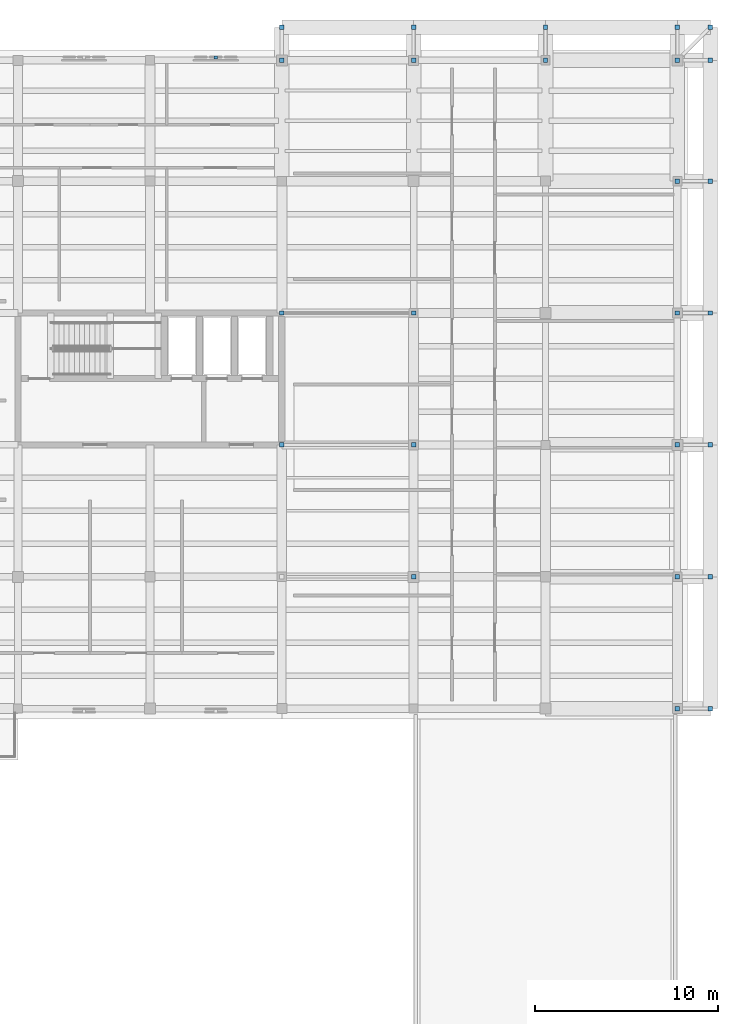
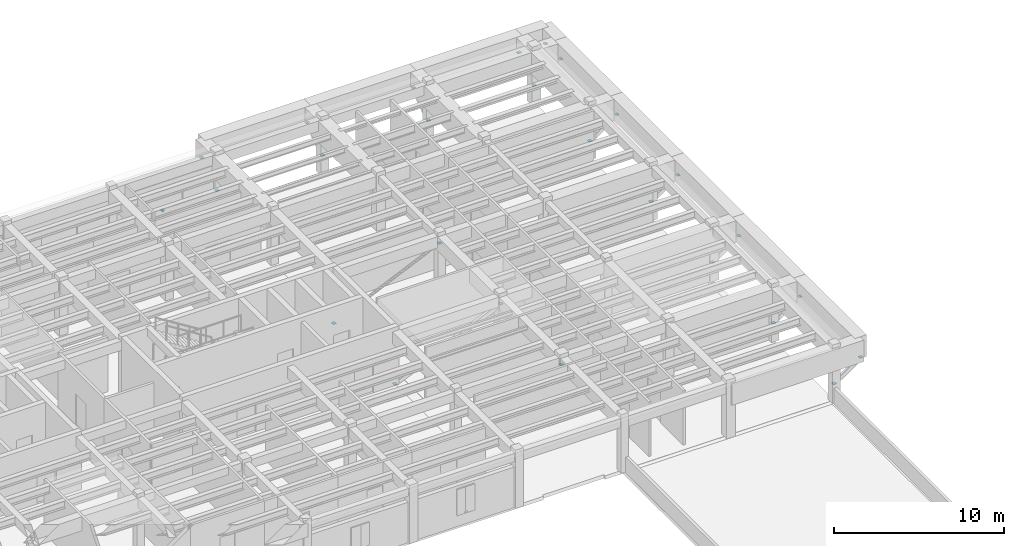
# One storey, part 19 of 22: 26 discrete accessories.
"""IFC4 building model written with IfcOpenShell, lengths in metres."""

from ifc_helpers import new_model, si_unit, direction, frame, origin, origin_2d, place, context, subcontext, project, spatial, rectangle, extrude, material, type_object, element, save


model = new_model("IFC4")

# Units and contexts
model_context = context("Model", 3, precision=1e-05, world=origin(), true_north=direction((0.0, 1.0)))
body_context = subcontext(model_context, "Body", "Model", "MODEL_VIEW")
ifc_project = project(units=[si_unit("LENGTHUNIT", "METRE"), si_unit("AREAUNIT", "SQUARE_METRE"), si_unit("VOLUMEUNIT", "CUBIC_METRE"), si_unit("PLANEANGLEUNIT", "RADIAN"), si_unit("MASSUNIT", "GRAM", prefix="KILO")], contexts=[model_context])

# Site, building, storey
site_placement = place(None, origin())
site = spatial("IfcSite", under=ifc_project, at=site_placement, CompositionType="ELEMENT")
building_placement = place(site_placement, origin())
building = spatial("IfcBuilding", under=site, at=building_placement, Name="Mithqara Police Headquarters", CompositionType="ELEMENT")
storey_placement = place(building_placement, frame((0.0, 0.0, 22.199951171875)))
storey = spatial("IfcBuildingStorey", under=building, at=storey_placement, Name="L05", CompositionType="ELEMENT", Elevation=22.199951171875)

# Discrete accessories
ifc_material = material(Name="Steel S355JR", Category="steel")
discrete_accessory_type_1 = type_object("IfcDiscreteAccessoryType", Name="END CONN PLATE", PredefinedType="BRACKET", material=ifc_material)
for number, where, z_axis, x_axis, name in (
    (1, (166.199951171875, 78.60009765625, 1.18798828125), (0.0, 0.0, 1.0), (1.0, 0.0, 0.0), "Brace End Connection Plate 1A"),
    (2, (168.0, 78.60009765625, 2.4580078125), (0.0, 0.0, 1.0), (1.0, 0.0, 0.0), "Brace End Connection Plate 2B"),
    (3, (166.199951171875, 85.800048828125, 1.18798828125), (0.0, 0.0, 1.0), (1.0, 0.0, 0.0), "Brace End Connection Plate 3A"),
    (4, (168.0, 85.800048828125, 2.4580078125), (0.0, 0.0, 1.0), (1.0, 0.0, 0.0), "Brace End Connection Plate 4B"),
    (5, (166.199951171875, 93.0, 1.18798828125), (0.0, 0.0, 1.0), (1.0, 0.0, 0.0), "Brace End Connection Plate 5A"),
    (6, (168.0, 93.0, 2.4580078125), (0.0, 0.0, 1.0), (1.0, 0.0, 0.0), "Brace End Connection Plate 6B"),
    (7, (166.199951171875, 100.199951171875, 1.18798828125), (0.0, 0.0, 1.0), (1.0, 0.0, 0.0), "Brace End Connection Plate 7A"),
    (8, (168.0, 100.199951171875, 2.4580078125), (0.0, 0.0, 1.0), (1.0, 0.0, 0.0), "Brace End Connection Plate 8B"),
    (9, (166.199951171875, 107.39990234375, 1.18798828125), (0.0, 0.0, 1.0), (1.0, 0.0, 0.0), "Brace End Connection Plate 9A"),
    (10, (168.0, 107.39990234375, 2.4580078125), (0.0, 0.0, 1.0), (1.0, 0.0, 0.0), "Brace End Connection Plate 10B"),
    (11, (166.199951171875, 114.0, 1.18798828125), (0.0, 0.0, 1.0), (1.0, 0.0, 0.0), "Brace End Connection Plate 11A"),
    (12, (168.0, 114.0, 2.4580078125), (0.0, 0.0, 1.0), (1.0, 0.0, 0.0), "Brace End Connection Plate 12B"),
    (13, (144.60009765625, 114.0, 1.18798828125), (0.0, 0.0, 1.0), (1.0, 0.0, 0.0), "Brace End Connection Plate 13A"),
    (14, (144.60009765625, 115.800048828125, 2.4580078125), (0.0, 0.0, 1.0), (1.0, 0.0, 0.0), "Brace End Connection Plate 14B"),
    (15, (151.800048828125, 114.0, 1.18798828125), (0.0, 0.0, 1.0), (1.0, 0.0, 0.0), "Brace End Connection Plate 15A"),
    (16, (151.800048828125, 115.800048828125, 2.4580078125), (0.0, 0.0, 1.0), (1.0, 0.0, 0.0), "Brace End Connection Plate 16B"),
    (17, (159.0, 114.0, 1.18798828125), (0.0, 0.0, 1.0), (1.0, 0.0, 0.0), "Brace End Connection Plate 17A"),
    (18, (159.0, 115.800048828125, 2.4580078125), (0.0, 0.0, 1.0), (1.0, 0.0, 0.0), "Brace End Connection Plate 18B"),
    (19, (166.199951171875, 115.800048828125, 2.4580078125), (0.0, 0.0, 1.0), (1.0, 0.0, 0.0), "Brace End Connection Plate 19B"),
    (20, (168.0, 115.800048828125, 2.4580078125), (0.0, 0.0, 1.0), (1.0, 0.0, 0.0), "Brace End Connection Plate 20B"),
    (21, (151.800048828125, 85.800048828125, 3.238037109375), (0.0, 0.0, 1.0), (1.0, 0.0, 0.0), "Brace End Connection Plate 60B"),
    (22, (144.60009765625, 93.0, -0.011962890625), (0.0, 0.0, 1.0), (1.0, 0.0, 0.0), "Brace End Connection Plate 61A"),
    (23, (151.800048828125, 93.0, 3.238037109375), (0.0, 0.0, 1.0), (1.0, 0.0, 0.0), "Brace End Connection Plate 62B"),
    (24, (144.60009765625, 100.199951171875, -0.011962890625), (0.0, 0.0, 1.0), (1.0, 0.0, 0.0), "Brace End Connection Plate 63A"),
    (25, (151.800048828125, 100.199951171875, 3.238037109375), (0.0, 0.0, 1.0), (1.0, 0.0, 0.0), "Brace End Connection Plate 64B"),
):
    element("IfcDiscreteAccessory", number, at=place(storey_placement, frame(where, z_axis=z_axis, x_axis=x_axis)), inside=storey, type_object=discrete_accessory_type_1, Name=name, PredefinedType="BRACKET", context=body_context, shape_type="SweptSolid", body=[
        extrude(rectangle(XDim=0.239990234375, YDim=0.239990234375, at=origin_2d()), origin(), (0.0, 0.0, 1.0), 0.02392578125),
    ])
discrete_accessory_type_2 = type_object("IfcDiscreteAccessoryType", Name="SCREEN BRACKET SS", PredefinedType="BRACKET", material=ifc_material)
discrete_accessory_placement = place(storey_placement, frame((141.0, 114.14990234375, 0.85009765625), z_axis=(0.0, 0.0, 1.0), x_axis=(1.0, 0.0, 0.0)))
element("IfcDiscreteAccessory", 26, at=discrete_accessory_placement, inside=storey, type_object=discrete_accessory_type_2, Name="L05 Stone Screen Support Bracket 8.5", PredefinedType="BRACKET", context=body_context, shape_type="SweptSolid", body=[
    extrude(rectangle(XDim=0.179931640625, YDim=0.179931640625, at=origin_2d()), origin(), (0.0, 0.0, 1.0), 0.1201171875),
])

save(model, "model.ifc")
